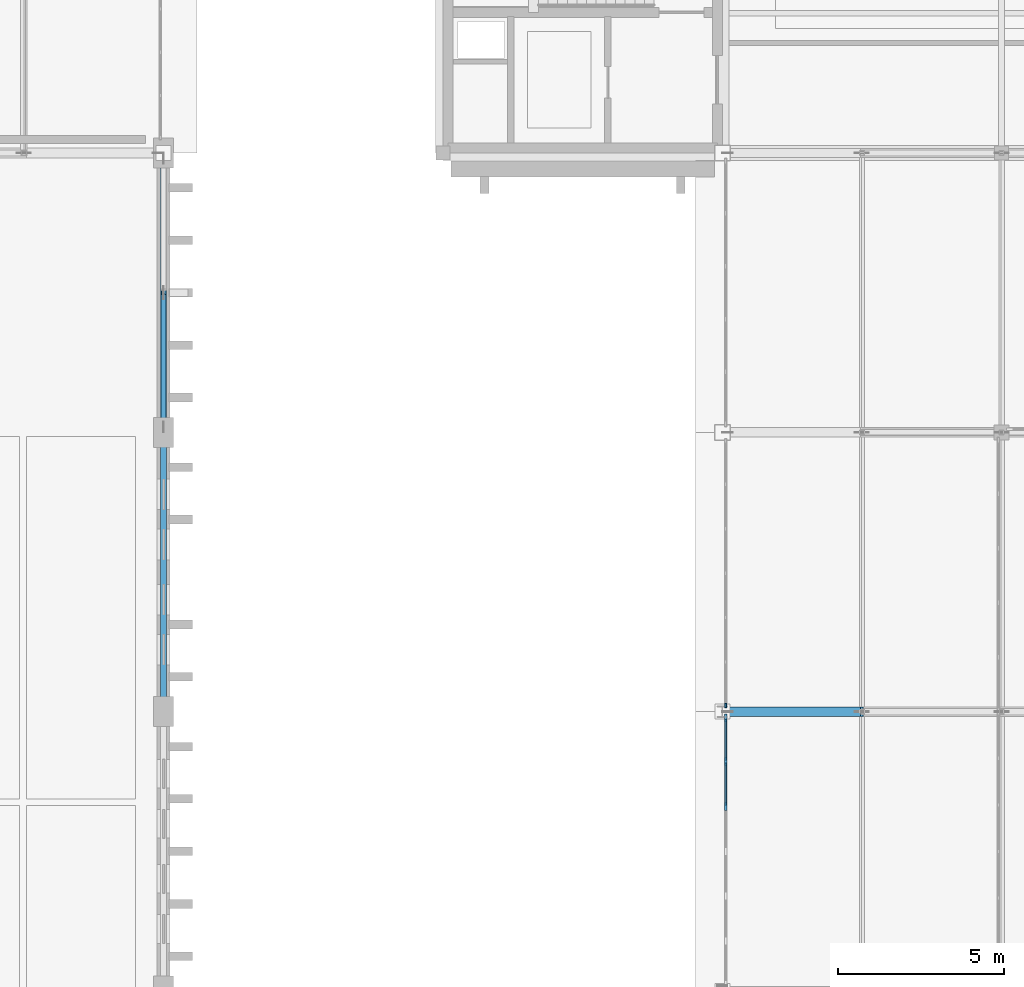
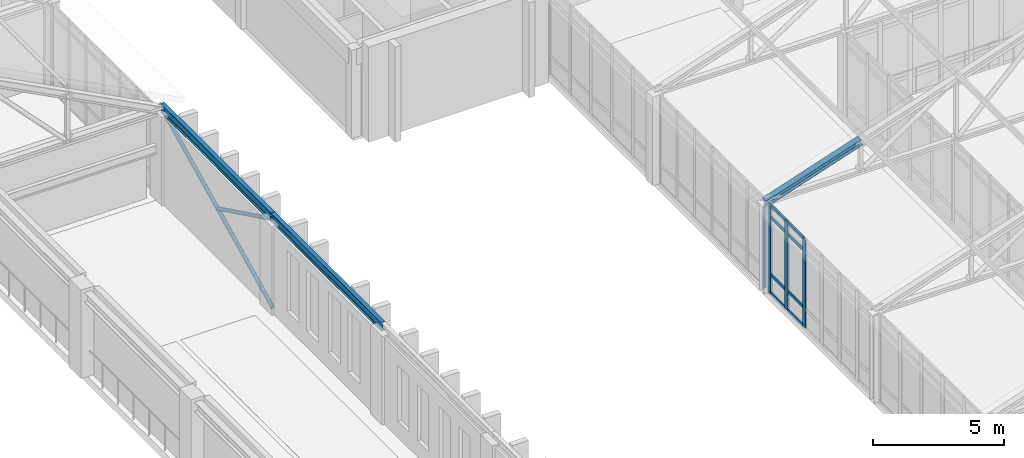
# One storey, part 74 of 192: 15 members, 2 beams, 2 elements without a shape of their own.
"""IFC4 building model written with IfcOpenShell, lengths in metres."""

from ifc_helpers import new_model, si_unit, direction, frame, origin, origin_2d, place, context, subcontext, project, spatial, rectangle, hollow_circle, i_section, extrude, material, layer, layer_set, material_profile, profile_set, type_object, element, aggregate, save


model = new_model("IFC4")

# Units and contexts
model_context = context("Model", 3, precision=1e-05, world=origin(), true_north=direction((0.0, 1.0)))
body_context = subcontext(model_context, "Body", "Model", "MODEL_VIEW")
ifc_project = project(units=[si_unit("LENGTHUNIT", "METRE"), si_unit("AREAUNIT", "SQUARE_METRE"), si_unit("VOLUMEUNIT", "CUBIC_METRE"), si_unit("PLANEANGLEUNIT", "RADIAN"), si_unit("MASSUNIT", "GRAM", prefix="KILO")], contexts=[model_context])

# Site, building, storey
site_placement = place(None, origin())
site = spatial("IfcSite", under=ifc_project, at=site_placement, CompositionType="ELEMENT")
building_placement = place(site_placement, origin())
building = spatial("IfcBuilding", under=site, at=building_placement, Name="Kveldsbrygga Polytechnic", CompositionType="ELEMENT")
storey_placement = place(building_placement, frame((0.0, 0.0, 5.43994140625)))
storey = spatial("IfcBuildingStorey", under=building, at=storey_placement, Name="L01", CompositionType="ELEMENT", Elevation=5.43994140625)

# Beams
ifc_material_1 = material(Name="Steel S355", Category="steel")
ifc_material_profile_1 = material_profile(ifc_material_1, i_section(OverallWidth=0.179931640625, OverallDepth=0.39990234375, WebThickness=0.008544921875, FlangeThickness=0.013427734375, FilletRadius=0.02099609375, at=origin_2d()), Name="IPE 400")
ifc_profile_set_1 = profile_set([ifc_material_profile_1], Name="Steel S355")
beam_type = type_object("IfcBeamType", Name="BM-STL-IPE400", PredefinedType="BEAM", material=ifc_profile_set_1)
beam_1_placement = place(storey_placement, frame((33.60009765625, 67.199951171875, 4.219970703125), z_axis=(0.0, 1.0, 0.0), x_axis=(-1.0, 0.0, 0.0)))
element("IfcBeam", 1, at=beam_1_placement, inside=storey, type_object=beam_type, Name="Workshop Perimeter Girt Beam BMY-V1GRT-L01-E-08", PredefinedType="BEAM", context=body_context, shape_type="SweptSolid", body=[
    extrude(i_section(OverallWidth=0.179931640625, OverallDepth=0.39990234375, WebThickness=0.008544921875, FlangeThickness=0.013427734375, FilletRadius=0.02099609375, at=origin_2d()), origin(), (0.0, 0.0, 1.0), 8.400146484375),
])
beam_2_placement = place(storey_placement, frame((33.60009765625, 75.60009765625, 4.219970703125), z_axis=(0.0, 1.0, 0.0), x_axis=(-1.0, 0.0, 0.0)))
element("IfcBeam", 2, at=beam_2_placement, inside=storey, type_object=beam_type, Name="Workshop Perimeter Girt Beam BMY-V1GRT-L01-E-09", PredefinedType="BEAM", context=body_context, shape_type="SweptSolid", body=[
    extrude(i_section(OverallWidth=0.179931640625, OverallDepth=0.39990234375, WebThickness=0.008544921875, FlangeThickness=0.013427734375, FilletRadius=0.02099609375, at=origin_2d()), origin(), (0.0, 0.0, 1.0), 8.39990234375),
])

# Members
ifc_material_profile_2 = material_profile(ifc_material_1, hollow_circle(Radius=0.084228515625, WallThickness=0.010009765625, at=origin_2d()), Name="CHS 168.3x10.0")
ifc_profile_set_2 = profile_set([ifc_material_profile_2], Name="Steel S355")
member_type_1 = type_object("IfcMemberType", Name="BR-WIND-CHS168", PredefinedType="BRACE", material=ifc_profile_set_2)
member_1_placement = place(storey_placement, frame((33.60009765625, 75.60009765625, 0.0), z_axis=(0.0, 0.897814327836, 0.440374196261), x_axis=(-1.0, 0.0, 0.0)))
element("IfcMember", 3, at=member_1_placement, inside=storey, type_object=member_type_1, Name="Workshop Portal Continuous Brace VBR-L01-E-9-A", PredefinedType="BRACE", context=body_context, shape_type="SweptSolid", body=[
    extrude(hollow_circle(Radius=0.084228515625, WallThickness=0.010009765625, at=origin_2d()), origin(), (0.0, 0.0, 1.0), 9.35595703125),
])
member_2_placement = place(storey_placement, frame((33.60009765625, 79.71923828125, 2.099609375), z_axis=(0.0, -0.897806877292, 0.440389385756), x_axis=(1.0, 0.0, 0.0)))
element("IfcMember", 4, at=member_2_placement, inside=storey, type_object=member_type_1, Name="Workshop Portal Split Brace VBR-L01-E-9-B2", PredefinedType="BRACE", context=body_context, shape_type="SweptSolid", body=[
    extrude(hollow_circle(Radius=0.084228515625, WallThickness=0.010009765625, at=origin_2d()), origin(), (0.0, 0.0, 1.0), 4.587890625),
])

# Curtain wall, member
ifc_material_2 = material(Name="Anodised aluminium AW-6060", Category="aluminium")
ifc_layer_1 = layer(ifc_material_2, 0.179931640625)
ifc_layer_set_1 = layer_set([ifc_layer_1], Name="Anodised aluminium AW-6060")
curtain_wall_type_1 = type_object("IfcCurtainWallType", Name="CW-CONC-A", PredefinedType="USERDEFINED", material=ifc_layer_set_1)
curtain_wall_1_placement = place(storey_placement, origin())
curtain_wall_1 = element("IfcCurtainWall", 5, at=curtain_wall_1_placement, inside=storey, type_object=curtain_wall_type_1, Name="Curtain Wall CW-L01-Y-06-08", ObjectType="UNITISED CURTAIN WALL", PredefinedType="USERDEFINED")
ifc_material_profile_3 = material_profile(ifc_material_2, rectangle(XDim=0.06005859375, YDim=0.139892578125, at=origin_2d()), Name="ALU 60x140")
ifc_profile_set_3 = profile_set([ifc_material_profile_3], Name="Anodised aluminium AW-6060")
member_type_2 = type_object("IfcMemberType", Name="CW-MUL-140", PredefinedType="MULLION", material=ifc_profile_set_3)
member_3_placement = place(storey_placement, frame((50.5, 67.385009765625, 0.0), z_axis=(0.0, 0.0, 1.0), x_axis=(-1.0, 0.0, 0.0)))
member_3 = element("IfcMember", 6, at=member_3_placement, type_object=member_type_2, Name="CW-01 mullion 1", PredefinedType="MULLION", context=body_context, shape_type="SweptSolid", body=[
    extrude(rectangle(XDim=0.06005859375, YDim=0.139892578125, at=origin_2d()), origin(), (0.0, 0.0, 1.0), 4.1201171875),
])
aggregate(curtain_wall_1, [member_3])

# Curtain wall, members
ifc_layer_2 = layer(ifc_material_2, 0.2099609375)
ifc_layer_set_2 = layer_set([ifc_layer_2], Name="Anodised aluminium AW-6060")
curtain_wall_type_2 = type_object("IfcCurtainWallType", Name="CW-LIBR-H", PredefinedType="USERDEFINED", material=ifc_layer_set_2)
curtain_wall_2_placement = place(storey_placement, origin())
curtain_wall_2 = element("IfcCurtainWall", 7, at=curtain_wall_2_placement, inside=storey, type_object=curtain_wall_type_2, Name="Curtain Wall CW-L01-Y-06-07", ObjectType="UNITISED CURTAIN WALL", PredefinedType="USERDEFINED")
ifc_material_profile_4 = material_profile(ifc_material_2, rectangle(XDim=0.074951171875, YDim=0.239990234375, at=origin_2d()), Name="ALU 75x240")
ifc_profile_set_4 = profile_set([ifc_material_profile_4], Name="Anodised aluminium AW-6060")
member_type_3 = type_object("IfcMemberType", Name="CW-MUL-240", PredefinedType="MULLION", material=ifc_profile_set_4)
member_4_placement = place(storey_placement, frame((50.5, 64.348388671875, 0.0), z_axis=(0.0, 0.0, 1.0), x_axis=(-1.0, 0.0, 0.0)))
member_4 = element("IfcMember", 8, at=member_4_placement, type_object=member_type_3, Name="CW-08 mullion 5", PredefinedType="MULLION", context=body_context, shape_type="SweptSolid", body=[
    extrude(rectangle(XDim=0.074951171875, YDim=0.239990234375, at=origin_2d()), origin(), (0.0, 0.0, 1.0), 4.1201171875),
])
member_5_placement = place(storey_placement, frame((50.5, 65.69677734375, 0.0), z_axis=(0.0, 0.0, 1.0), x_axis=(-1.0, 0.0, 0.0)))
member_5 = element("IfcMember", 9, at=member_5_placement, type_object=member_type_3, Name="CW-08 mullion 6", PredefinedType="MULLION", context=body_context, shape_type="SweptSolid", body=[
    extrude(rectangle(XDim=0.074951171875, YDim=0.239990234375, at=origin_2d()), origin(), (0.0, 0.0, 1.0), 4.1201171875),
])
member_6_placement = place(storey_placement, frame((50.5, 67.007568359375, 0.0), z_axis=(0.0, 0.0, 1.0), x_axis=(-1.0, 0.0, 0.0)))
member_6 = element("IfcMember", 10, at=member_6_placement, type_object=member_type_3, Name="CW-08 mullion 7", PredefinedType="MULLION", context=body_context, shape_type="SweptSolid", body=[
    extrude(rectangle(XDim=0.074951171875, YDim=0.239990234375, at=origin_2d()), origin(), (0.0, 0.0, 1.0), 4.1201171875),
])
ifc_material_profile_5 = material_profile(ifc_material_2, rectangle(XDim=0.06005859375, YDim=0.14990234375, at=origin_2d()), Name="ALU 60x150")
ifc_profile_set_5 = profile_set([ifc_material_profile_5], Name="Anodised aluminium AW-6060")
member_type_4 = type_object("IfcMemberType", Name="CW-TRN-150", PredefinedType="USERDEFINED", material=ifc_profile_set_5)
member_7_placement = place(storey_placement, frame((50.5, 64.3857421875, 0.030029296875), z_axis=(0.0, 1.0, 0.0), x_axis=(-1.0, 0.0, 0.0)))
member_7 = element("IfcMember", 11, at=member_7_placement, type_object=member_type_4, Name="CW-08 transom 5.1", ObjectType="TRANSOM", PredefinedType="USERDEFINED", context=body_context, shape_type="SweptSolid", body=[
    extrude(rectangle(XDim=0.06005859375, YDim=0.14990234375, at=origin_2d()), origin(), (0.0, 0.0, 1.0), 1.2734375),
])
member_8_placement = place(storey_placement, frame((50.5, 64.3857421875, 0.900146484375), z_axis=(0.0, 1.0, 0.0), x_axis=(-1.0, 0.0, 0.0)))
member_8 = element("IfcMember", 12, at=member_8_placement, type_object=member_type_4, Name="CW-08 transom 5.2", ObjectType="TRANSOM", PredefinedType="USERDEFINED", context=body_context, shape_type="SweptSolid", body=[
    extrude(rectangle(XDim=0.06005859375, YDim=0.14990234375, at=origin_2d()), origin(), (0.0, 0.0, 1.0), 1.2734375),
])
member_9_placement = place(storey_placement, frame((50.5, 64.3857421875, 3.570068359375), z_axis=(0.0, 1.0, 0.0), x_axis=(-1.0, 0.0, 0.0)))
member_9 = element("IfcMember", 13, at=member_9_placement, type_object=member_type_4, Name="CW-08 transom 5.3", ObjectType="TRANSOM", PredefinedType="USERDEFINED", context=body_context, shape_type="SweptSolid", body=[
    extrude(rectangle(XDim=0.06005859375, YDim=0.14990234375, at=origin_2d()), origin(), (0.0, 0.0, 1.0), 1.2734375),
])
member_10_placement = place(storey_placement, frame((50.5, 64.3857421875, 4.090087890625), z_axis=(0.0, 1.0, 0.0), x_axis=(-1.0, 0.0, 0.0)))
member_10 = element("IfcMember", 14, at=member_10_placement, type_object=member_type_4, Name="CW-08 transom 5.4", ObjectType="TRANSOM", PredefinedType="USERDEFINED", context=body_context, shape_type="SweptSolid", body=[
    extrude(rectangle(XDim=0.06005859375, YDim=0.14990234375, at=origin_2d()), origin(), (0.0, 0.0, 1.0), 1.2734375),
])
member_11_placement = place(storey_placement, frame((50.5, 65.734130859375, 0.030029296875), z_axis=(0.0, 1.0, 0.0), x_axis=(-1.0, 0.0, 0.0)))
member_11 = element("IfcMember", 15, at=member_11_placement, type_object=member_type_4, Name="CW-08 transom 6.1", ObjectType="TRANSOM", PredefinedType="USERDEFINED", context=body_context, shape_type="SweptSolid", body=[
    extrude(rectangle(XDim=0.06005859375, YDim=0.14990234375, at=origin_2d()), origin(), (0.0, 0.0, 1.0), 1.23583984375),
])
member_12_placement = place(storey_placement, frame((50.5, 65.734130859375, 0.900146484375), z_axis=(0.0, 1.0, 0.0), x_axis=(-1.0, 0.0, 0.0)))
member_12 = element("IfcMember", 16, at=member_12_placement, type_object=member_type_4, Name="CW-08 transom 6.2", ObjectType="TRANSOM", PredefinedType="USERDEFINED", context=body_context, shape_type="SweptSolid", body=[
    extrude(rectangle(XDim=0.06005859375, YDim=0.14990234375, at=origin_2d()), origin(), (0.0, 0.0, 1.0), 1.23583984375),
])
member_13_placement = place(storey_placement, frame((50.5, 65.734130859375, 3.570068359375), z_axis=(0.0, 1.0, 0.0), x_axis=(-1.0, 0.0, 0.0)))
member_13 = element("IfcMember", 17, at=member_13_placement, type_object=member_type_4, Name="CW-08 transom 6.3", ObjectType="TRANSOM", PredefinedType="USERDEFINED", context=body_context, shape_type="SweptSolid", body=[
    extrude(rectangle(XDim=0.06005859375, YDim=0.14990234375, at=origin_2d()), origin(), (0.0, 0.0, 1.0), 1.23583984375),
])
member_14_placement = place(storey_placement, frame((50.5, 65.734130859375, 4.090087890625), z_axis=(0.0, 1.0, 0.0), x_axis=(-1.0, 0.0, 0.0)))
member_14 = element("IfcMember", 18, at=member_14_placement, type_object=member_type_4, Name="CW-08 transom 6.4", ObjectType="TRANSOM", PredefinedType="USERDEFINED", context=body_context, shape_type="SweptSolid", body=[
    extrude(rectangle(XDim=0.06005859375, YDim=0.14990234375, at=origin_2d()), origin(), (0.0, 0.0, 1.0), 1.23583984375),
])
aggregate(curtain_wall_2, [member_4, member_5, member_6, member_7, member_8, member_9, member_10, member_11, member_12, member_13, member_14])

# Member
ifc_material_profile_6 = material_profile(ifc_material_1, i_section(OverallWidth=0.280029296875, OverallDepth=0.280029296875, WebThickness=0.010498046875, FlangeThickness=0.01806640625, FilletRadius=0.02392578125, at=origin_2d()), Name="HEB 280")
ifc_profile_set_6 = profile_set([ifc_material_profile_6], Name="Steel S355")
member_type_5 = type_object("IfcMemberType", Name="TR-TOP-HEB280", PredefinedType="CHORD", material=ifc_profile_set_6)
member_15_placement = place(storey_placement, frame((50.39990234375, 67.199951171875, 4.1201171875), z_axis=(0.948694326238, 0.0, 0.316194679531), x_axis=(0.0, 1.0, 0.0)))
element("IfcMember", 19, at=member_15_placement, inside=storey, type_object=member_type_5, Name="Truss Top Chord V5C-T08-TC-1", PredefinedType="CHORD", context=body_context, shape_type="SweptSolid", body=[
    extrude(i_section(OverallWidth=0.280029296875, OverallDepth=0.280029296875, WebThickness=0.010498046875, FlangeThickness=0.01806640625, FilletRadius=0.02392578125, at=origin_2d()), origin(), (0.0, 0.0, 1.0), 4.42724609375),
])

save(model, "model.ifc")
